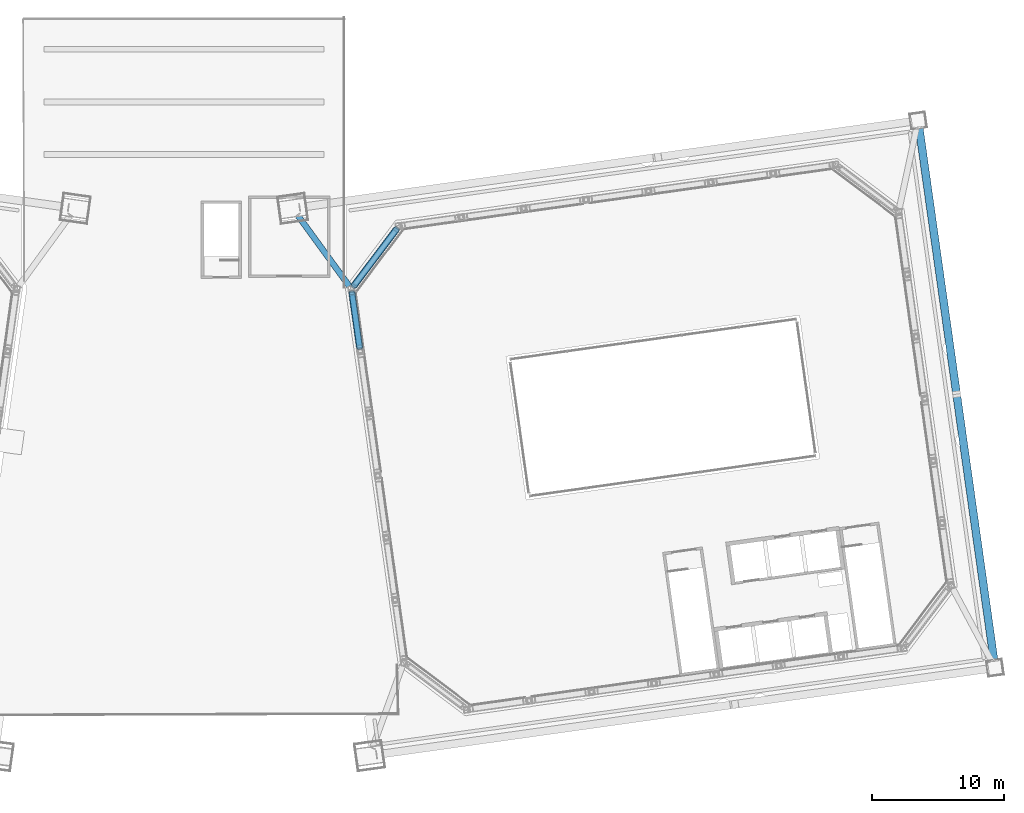
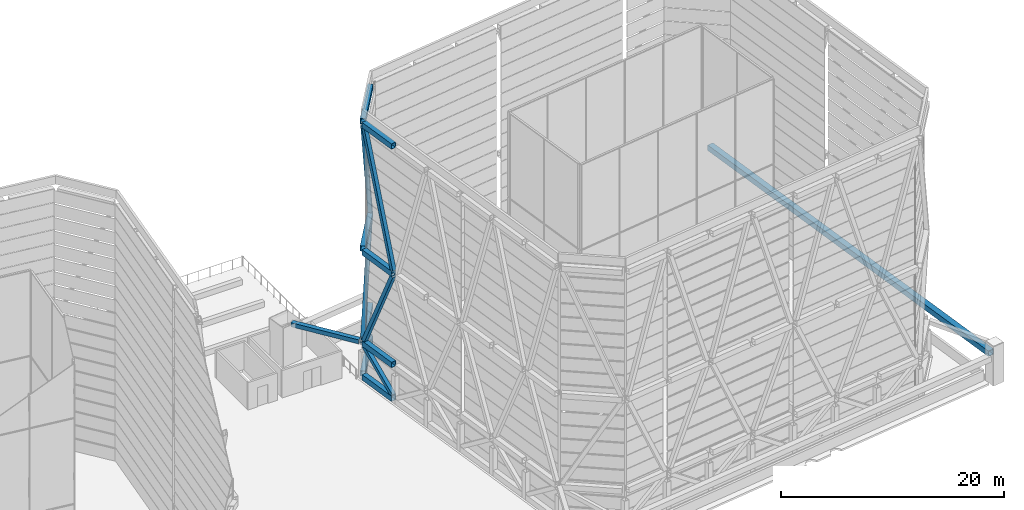
# One storey, part 14 of 45: 8 beams, 8 members.
"""IFC4 building model written with IfcOpenShell, lengths in metres."""

from ifc_helpers import new_model, si_unit, direction, frame, origin, origin_2d, place, context, subcontext, project, spatial, hollow_rectangle, extrude, material, material_profile, profile_set, type_object, element, save


model = new_model("IFC4")

# Units and contexts
model_context = context("Model", 3, precision=1e-05, world=origin(), true_north=direction((0.0, 1.0)))
body_context = subcontext(model_context, "Body", "Model", "MODEL_VIEW")
ifc_project = project(units=[si_unit("LENGTHUNIT", "METRE"), si_unit("AREAUNIT", "SQUARE_METRE"), si_unit("VOLUMEUNIT", "CUBIC_METRE"), si_unit("PLANEANGLEUNIT", "RADIAN"), si_unit("MASSUNIT", "GRAM", prefix="KILO")], contexts=[model_context])

# Site, building, storey
site_placement = place(None, origin())
site = spatial("IfcSite", under=ifc_project, at=site_placement, CompositionType="ELEMENT")
building_placement = place(site_placement, origin())
building = spatial("IfcBuilding", under=site, at=building_placement, Name="Mirante Cascada Hotel Towers", CompositionType="ELEMENT")
storey_placement = place(building_placement, frame((0.0, 0.0, 269.8)))
storey = spatial("IfcBuildingStorey", under=building, at=storey_placement, Name="Roof garden", CompositionType="ELEMENT", Elevation=269.8)

# Beams
ifc_material_1 = material(Name="Steel ASTM A572 Gr 50", Category="steel")
ifc_material_profile_1 = material_profile(ifc_material_1, hollow_rectangle(XDim=0.5, YDim=0.6, WallThickness=0.03, at=origin_2d()), Name="Box beam 600x500x30 ASTM A572 Gr 50")
ifc_profile_set_1 = profile_set([ifc_material_profile_1], Name="Steel ASTM A572 Gr 50")
beam_type = type_object("IfcBeamType", Name="Box beam 600x500x30 ASTM A572 Gr 50", PredefinedType="BEAM", material=ifc_profile_set_1)
beam_1_placement = place(storey_placement, frame((13.3522, 5.5489, 0.3), z_axis=(-0.1391856, 0.9902663, 0.0), x_axis=(-0.9902663, -0.1391856, 0.0)))
element("IfcBeam", 1, at=beam_1_placement, inside=storey, type_object=beam_type, Name="CROWN FRAME ring beam T2 7", PredefinedType="BEAM", context=body_context, shape_type="SweptSolid", body=[
    extrude(hollow_rectangle(XDim=0.5, YDim=0.6, WallThickness=0.03, at=origin_2d()), origin(), (0.0, 0.0, 1.0), 4.2713),
])
beam_2_placement = place(storey_placement, frame((12.8734, 10.2258, 0.3), z_axis=(0.6018225, 0.7986299, 0.0), x_axis=(-0.7986299, 0.6018225, 0.0)))
element("IfcBeam", 2, at=beam_2_placement, inside=storey, type_object=beam_type, Name="CROWN FRAME ring beam T2 8", PredefinedType="BEAM", context=body_context, shape_type="SweptSolid", body=[
    extrude(hollow_rectangle(XDim=0.5, YDim=0.6, WallThickness=0.03, at=origin_2d()), origin(), (0.0, 0.0, 1.0), 5.4912),
])
beam_3_placement = place(storey_placement, frame((13.3522, 5.5489, 4.0), z_axis=(-0.1391856, 0.9902663, 0.0), x_axis=(-0.9902663, -0.1391856, 0.0)))
element("IfcBeam", 3, at=beam_3_placement, inside=storey, type_object=beam_type, Name="CROWN FRAME ring beam T2 37", PredefinedType="BEAM", context=body_context, shape_type="SweptSolid", body=[
    extrude(hollow_rectangle(XDim=0.5, YDim=0.6, WallThickness=0.03, at=origin_2d()), origin(), (0.0, 0.0, 1.0), 4.2713),
])
beam_4_placement = place(storey_placement, frame((12.8734, 10.2258, 4.0), z_axis=(0.6018225, 0.7986299, 0.0), x_axis=(-0.7986299, 0.6018225, 0.0)))
element("IfcBeam", 4, at=beam_4_placement, inside=storey, type_object=beam_type, Name="CROWN FRAME ring beam T2 38", PredefinedType="BEAM", context=body_context, shape_type="SweptSolid", body=[
    extrude(hollow_rectangle(XDim=0.5, YDim=0.6, WallThickness=0.03, at=origin_2d()), origin(), (0.0, 0.0, 1.0), 5.4912),
])
beam_5_placement = place(storey_placement, frame((13.3522, 5.5489, 14.0), z_axis=(-0.1391856, 0.9902663, 0.0), x_axis=(-0.9902663, -0.1391856, 0.0)))
element("IfcBeam", 5, at=beam_5_placement, inside=storey, type_object=beam_type, Name="CROWN FRAME ring beam T2 67", PredefinedType="BEAM", context=body_context, shape_type="SweptSolid", body=[
    extrude(hollow_rectangle(XDim=0.5, YDim=0.6, WallThickness=0.03, at=origin_2d()), origin(), (0.0, 0.0, 1.0), 4.2713),
])
beam_6_placement = place(storey_placement, frame((12.8734, 10.2258, 14.0), z_axis=(0.6018225, 0.7986299, 0.0), x_axis=(-0.7986299, 0.6018225, 0.0)))
element("IfcBeam", 6, at=beam_6_placement, inside=storey, type_object=beam_type, Name="CROWN FRAME ring beam T2 68", PredefinedType="BEAM", context=body_context, shape_type="SweptSolid", body=[
    extrude(hollow_rectangle(XDim=0.5, YDim=0.6, WallThickness=0.03, at=origin_2d()), origin(), (0.0, 0.0, 1.0), 5.4912),
])
beam_7_placement = place(storey_placement, frame((13.3522, 5.5489, 27.95), z_axis=(-0.1391856, 0.9902663, 0.0), x_axis=(-0.9902663, -0.1391856, 0.0)))
element("IfcBeam", 7, at=beam_7_placement, inside=storey, type_object=beam_type, Name="CROWN FRAME ring beam T2 97", PredefinedType="BEAM", context=body_context, shape_type="SweptSolid", body=[
    extrude(hollow_rectangle(XDim=0.5, YDim=0.6, WallThickness=0.03, at=origin_2d()), origin(), (0.0, 0.0, 1.0), 4.2713),
])
beam_8_placement = place(storey_placement, frame((12.8734, 10.2258, 27.95), z_axis=(0.6018225, 0.7986299, 0.0), x_axis=(-0.7986299, 0.6018225, 0.0)))
element("IfcBeam", 8, at=beam_8_placement, inside=storey, type_object=beam_type, Name="CROWN FRAME ring beam T2 98", PredefinedType="BEAM", context=body_context, shape_type="SweptSolid", body=[
    extrude(hollow_rectangle(XDim=0.5, YDim=0.6, WallThickness=0.03, at=origin_2d()), origin(), (0.0, 0.0, 1.0), 5.4912),
])

# Members
ifc_material_2 = material(Name="Steel ASTM A572 Gr 50", Category="steel")
ifc_material_profile_2 = material_profile(ifc_material_2, hollow_rectangle(XDim=0.4, YDim=0.4, WallThickness=0.025, at=origin_2d()), Name="Box brace 400x400x25 ASTM A572 Gr 50")
ifc_profile_set_2 = profile_set([ifc_material_profile_2], Name="Steel ASTM A572 Gr 50")
member_type_1 = type_object("IfcMemberType", Name="Box brace 400x400x25 ASTM A572 Gr 50", PredefinedType="BRACE", material=ifc_profile_set_2)
member_1_placement = place(storey_placement, frame((13.3452, 5.5984, 0.6), z_axis=(-0.1116973, 0.7948114, 0.5964886), x_axis=(-0.9902691, -0.1391656, 0.0)))
element("IfcMember", 9, at=member_1_placement, inside=storey, type_object=member_type_1, Name="Hat truss diagonal T2 7", PredefinedType="BRACE", context=body_context, shape_type="SweptSolid", body=[
    extrude(hollow_rectangle(XDim=0.4, YDim=0.4, WallThickness=0.025, at=origin_2d()), origin(), (0.0, 0.0, 1.0), 5.1971),
])
member_2_placement = place(storey_placement, frame((16.148, 14.5713, 0.6), z_axis=(-0.5217143, -0.6923388, 0.4984788), x_axis=(0.7986357, -0.6018147, 0.0)))
element("IfcMember", 10, at=member_2_placement, inside=storey, type_object=member_type_1, Name="Hat truss diagonal T2 8", PredefinedType="BRACE", context=body_context, shape_type="SweptSolid", body=[
    extrude(hollow_rectangle(XDim=0.4, YDim=0.4, WallThickness=0.025, at=origin_2d()), origin(), (0.0, 0.0, 1.0), 6.2189),
])
member_3_placement = place(storey_placement, frame((12.7647, 9.7291, 4.3), z_axis=(0.0564472, -0.4016647, 0.9140455), x_axis=(0.9902691, 0.1391656, 0.0)))
element("IfcMember", 11, at=member_3_placement, inside=storey, type_object=member_type_1, Name="CROWN FRAME brace T2 37", PredefinedType="BRACE", context=body_context, shape_type="SweptSolid", body=[
    extrude(hollow_rectangle(XDim=0.4, YDim=0.4, WallThickness=0.025, at=origin_2d()), origin(), (0.0, 0.0, 1.0), 10.284),
])
member_4_placement = place(storey_placement, frame((12.9035, 10.2657, 4.3), z_axis=(0.2994109, 0.3973319, 0.8674563), x_axis=(-0.7986357, 0.6018147, 0.0)))
element("IfcMember", 12, at=member_4_placement, inside=storey, type_object=member_type_1, Name="CROWN FRAME brace T2 38", PredefinedType="BRACE", context=body_context, shape_type="SweptSolid", body=[
    extrude(hollow_rectangle(XDim=0.4, YDim=0.4, WallThickness=0.025, at=origin_2d()), origin(), (0.0, 0.0, 1.0), 10.8363),
])
member_5_placement = place(storey_placement, frame((13.3452, 5.5984, 14.3), z_axis=(-0.0415043, 0.2953348, 0.9544919), x_axis=(-0.9902691, -0.1391656, 0.0)))
element("IfcMember", 13, at=member_5_placement, inside=storey, type_object=member_type_1, Name="CROWN FRAME brace T2 67", PredefinedType="BRACE", context=body_context, shape_type="SweptSolid", body=[
    extrude(hollow_rectangle(XDim=0.4, YDim=0.4, WallThickness=0.025, at=origin_2d()), origin(), (0.0, 0.0, 1.0), 13.9865),
])
member_6_placement = place(storey_placement, frame((16.148, 14.5713, 14.3), z_axis=(-0.2253519, -0.2990523, 0.9272455), x_axis=(0.7986357, -0.6018147, 0.0)))
element("IfcMember", 14, at=member_6_placement, inside=storey, type_object=member_type_1, Name="CROWN FRAME brace T2 68", PredefinedType="BRACE", context=body_context, shape_type="SweptSolid", body=[
    extrude(hollow_rectangle(XDim=0.4, YDim=0.4, WallThickness=0.025, at=origin_2d()), origin(), (0.0, 0.0, 1.0), 14.3975),
])
ifc_material_3 = material(Name="Steel ASTM A572 Gr 50", Category="steel")
ifc_material_profile_3 = material_profile(ifc_material_3, hollow_rectangle(XDim=0.6, YDim=0.6, WallThickness=0.04, at=origin_2d()), Name="Box chord 600x600x40 ASTM A572 Gr 50")
ifc_profile_set_3 = profile_set([ifc_material_profile_3], Name="Steel ASTM A572 Gr 50")
member_type_2 = type_object("IfcMemberType", Name="Box chord 600x600x40 ASTM A572 Gr 50", PredefinedType="CHORD", material=ifc_profile_set_3)
member_7_placement = place(storey_placement, frame((61.5666, -18.2348, 2.8), z_axis=(-0.1391719, 0.9902682, 0.0), x_axis=(-0.9902682, -0.1391719, 0.0)))
element("IfcMember", 15, at=member_7_placement, inside=storey, type_object=member_type_2, Name="exochord T2 Roof garden 3", PredefinedType="CHORD", context=body_context, shape_type="SweptSolid", body=[
    extrude(hollow_rectangle(XDim=0.6, YDim=0.6, WallThickness=0.04, at=origin_2d()), origin(), (0.0, 0.0, 1.0), 40.94),
])
ifc_material_4 = material(Name="Steel ASTM A572 Gr 50", Category="steel")
ifc_material_profile_4 = material_profile(ifc_material_4, hollow_rectangle(XDim=0.45, YDim=0.45, WallThickness=0.03, at=origin_2d()), Name="Box tie 450x450x30 ASTM A572 Gr 50")
ifc_profile_set_4 = profile_set([ifc_material_profile_4], Name="Steel ASTM A572 Gr 50")
member_type_3 = type_object("IfcMemberType", Name="Box tie 450x450x30 ASTM A572 Gr 50", PredefinedType="STRUT", material=ifc_profile_set_4)
member_8_placement = place(storey_placement, frame((8.6292, 15.6475, 4.0), z_axis=(0.5886939, -0.808356, 0.0), x_axis=(0.808356, 0.5886939, 0.0)))
element("IfcMember", 16, at=member_8_placement, inside=storey, type_object=member_type_3, Name="CROWN FRAME tie T2 1", PredefinedType="STRUT", context=body_context, shape_type="SweptSolid", body=[
    extrude(hollow_rectangle(XDim=0.45, YDim=0.45, WallThickness=0.03, at=origin_2d()), origin(), (0.0, 0.0, 1.0), 6.6707),
])

save(model, "model.ifc")
